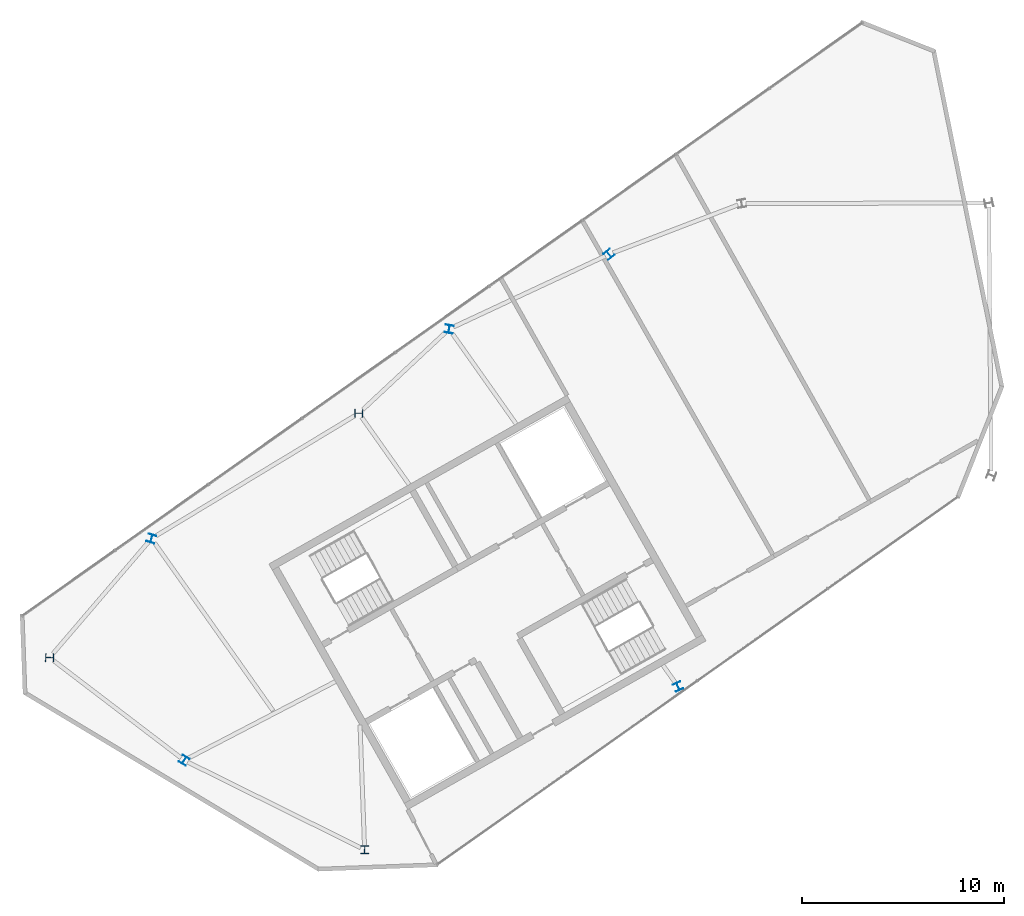
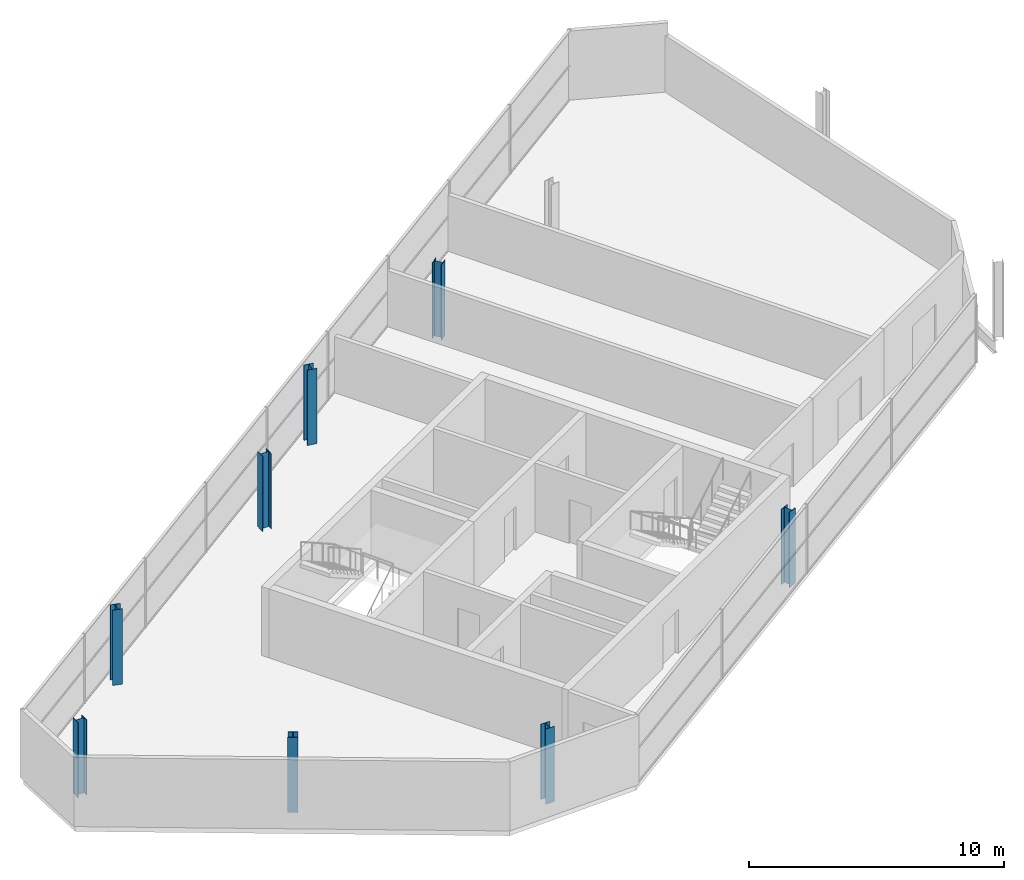
# One storey, part 1 of 10: 8 columns.
"""IFC4 building model written with IfcOpenShell, lengths in metres."""

from ifc_helpers import new_model, si_unit, direction, frame, origin, origin_2d, place, context, subcontext, project, spatial, i_section, extrude, material, material_profile, profile_set, type_object, element, save


model = new_model("IFC4")

# Units and contexts
model_context = context("Model", 3, precision=1e-05, world=origin(), true_north=direction((0.0, 1.0)))
body_context = subcontext(model_context, "Body", "Model", "MODEL_VIEW")
ifc_project = project(units=[si_unit("LENGTHUNIT", "METRE"), si_unit("AREAUNIT", "SQUARE_METRE"), si_unit("VOLUMEUNIT", "CUBIC_METRE"), si_unit("PLANEANGLEUNIT", "RADIAN"), si_unit("MASSUNIT", "GRAM", prefix="KILO")], contexts=[model_context])

# Site, building, storey
site_placement = place(None, origin())
site = spatial("IfcSite", under=ifc_project, at=site_placement, CompositionType="ELEMENT")
building_placement = place(site_placement, origin())
building = spatial("IfcBuilding", under=site, at=building_placement, Name="Binnacle Exchange Tower", CompositionType="ELEMENT")
storey_placement = place(building_placement, frame((0.0, 0.0, 364.89990234375)))
storey = spatial("IfcBuildingStorey", under=building, at=storey_placement, Name="L84", CompositionType="ELEMENT", Elevation=364.89990234375)

# Columns
ifc_material = material(Name="Steel S355 (SHN355)", Category="steel")
ifc_material_profile = material_profile(ifc_material, i_section(OverallWidth=0.39990234375, OverallDepth=0.39990234375, WebThickness=0.012939453125, FlangeThickness=0.02099609375, FilletRadius=0.02197265625, at=origin_2d()), Name="H 400x400x13x21")
ifc_profile_set = profile_set([ifc_material_profile], Name="Steel S355 (SHN355)")
column_type = type_object("IfcColumnType", Name="H 400x400x13x21", PredefinedType="COLUMN", material=ifc_profile_set)
for number, where, z_axis, x_axis, name in (
    (1, (-57.492919921875, 37.02734375, 0.0), (0.0, 0.0, 1.0), (-0.013089595571, -0.999914327574, 0.0), "S:COL:MC02:L84"),
    (2, (-50.81201171875, 31.930908203125, 0.0), (0.0, 0.0, 1.0), (0.857167300702, -0.51503807491, 0.0), "S:COL:MC01:L84"),
    (3, (-41.857666015625, 27.494873046875, 0.0), (0.0, 0.0, 1.0), (0.999914327574, -0.013089595571, 0.0), "S:COL:MC03:L84"),
    (4, (-42.144287109375, 49.15283203125, 0.0), (0.0, 0.0, 1.0), (0.017539659542, 0.999846168339, 0.0), "S:COL:MC10:L84"),
    (5, (-29.729248046875, 57.04150390625, 0.0), (0.0, 0.0, 1.0), (-0.772556293173, -0.634946276372, 0.0), "S:COL:MC19:L84"),
    (6, (-37.6640625, 53.333740234375, 0.0), (0.0, 0.0, 1.0), (-0.987457934314, 0.157882323139, 0.0), "S:COL:MC12:L84"),
    (7, (-52.434814453125, 42.936279296875, 0.0), (0.0, 0.0, 1.0), (-0.959170945813, 0.282826973092, 0.0), "S:COL:MC05:L84"),
    (8, (-26.30517578125, 35.59130859375, 0.0), (0.0, 0.0, 1.0), (0.910705289655, 0.413056745973, 0.0), "S:COL:MC09:L84"),
):
    element("IfcColumn", number, at=place(storey_placement, frame(where, z_axis=z_axis, x_axis=x_axis)), inside=storey, type_object=column_type, Name=name, PredefinedType="COLUMN", context=body_context, shape_type="SweptSolid", body=[
        extrude(i_section(OverallWidth=0.39990234375, OverallDepth=0.39990234375, WebThickness=0.012939453125, FlangeThickness=0.02099609375, FilletRadius=0.02197265625, at=origin_2d()), origin(), (0.0, 0.0, 1.0), 3.60009765625),
    ])

save(model, "model.ifc")
